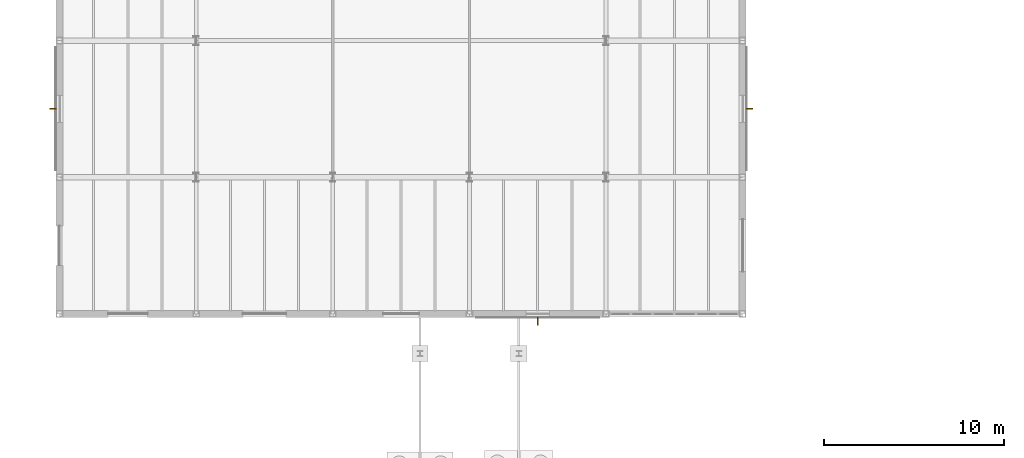
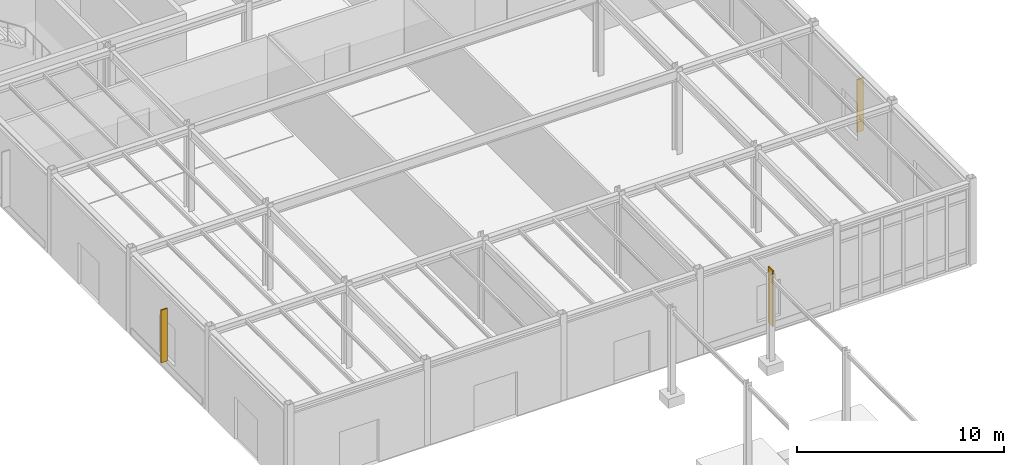
# One storey, part 100 of 109: 3 shading devices.
"""IFC4 building model written with IfcOpenShell, lengths in metres."""

from ifc_helpers import new_model, si_unit, direction, frame, origin, origin_2d, place, context, subcontext, project, spatial, rectangle, extrude, material, type_object, element, save


model = new_model("IFC4")

# Units and contexts
model_context = context("Model", 3, precision=1e-05, world=origin(), true_north=direction((0.0, 1.0)))
body_context = subcontext(model_context, "Body", "Model", "MODEL_VIEW")
ifc_project = project(units=[si_unit("LENGTHUNIT", "METRE"), si_unit("AREAUNIT", "SQUARE_METRE"), si_unit("VOLUMEUNIT", "CUBIC_METRE"), si_unit("PLANEANGLEUNIT", "RADIAN"), si_unit("MASSUNIT", "GRAM", prefix="KILO")], contexts=[model_context])

# Site, building, storey
site_placement = place(None, origin())
site = spatial("IfcSite", under=ifc_project, at=site_placement, CompositionType="ELEMENT")
building_placement = place(site_placement, origin())
building = spatial("IfcBuilding", under=site, at=building_placement, Name="Montecoro Central Library", CompositionType="ELEMENT")
storey_placement = place(building_placement, origin())
storey = spatial("IfcBuildingStorey", under=building, at=storey_placement, Name="L00", CompositionType="ELEMENT", Elevation=0.0)

# Shading devices
ifc_material = material(Name="Architectural bronze solar fin", Category="aluminium")
shading_device_type_1 = type_object("IfcShadingDeviceType", Name="SHD-FIN-03", PredefinedType="USERDEFINED", material=ifc_material)
for number, where, z_axis, x_axis, name in (
    (1, (43.37060546875, 84.800048828125, 0.699951171875), (0.0, 0.0, 1.0), (0.0, 1.0, 0.0), "V4-L00-FIN-E1"),
    (2, (4.62939453125, 84.800048828125, 0.699951171875), (0.0, 0.0, 1.0), (0.0, -1.0, 0.0), "V4-L00-FIN-W1"),
):
    element("IfcShadingDevice", number, at=place(storey_placement, frame(where, z_axis=z_axis, x_axis=x_axis)), inside=storey, type_object=shading_device_type_1, Name=name, ObjectType="SOLAR FIN", PredefinedType="USERDEFINED", context=body_context, shape_type="SweptSolid", body=[
        extrude(rectangle(XDim=0.06005859375, YDim=0.360107421875, at=origin_2d()), origin(), (0.0, 0.0, 1.0), 3.10009765625),
    ])
shading_device_type_2 = type_object("IfcShadingDeviceType", Name="SHD-FIN-05", PredefinedType="USERDEFINED", material=ifc_material)
shading_device_placement = place(storey_placement, frame((31.60009765625, 72.989501953125, 0.60009765625), z_axis=(0.0, 0.0, 1.0), x_axis=(1.0, 0.0, 0.0)))
element("IfcShadingDevice", 3, at=shading_device_placement, inside=storey, type_object=shading_device_type_2, Name="V4-L00-FIN-S3", ObjectType="SOLAR FIN", PredefinedType="USERDEFINED", context=body_context, shape_type="SweptSolid", body=[
    extrude(rectangle(XDim=0.06005859375, YDim=0.43994140625, at=origin_2d()), origin(), (0.0, 0.0, 1.0), 3.300048828125),
])

save(model, "model.ifc")
